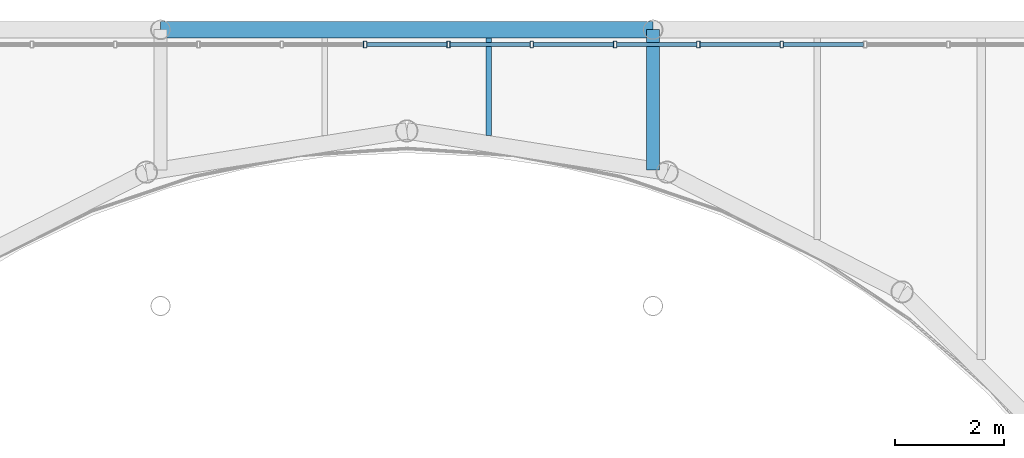
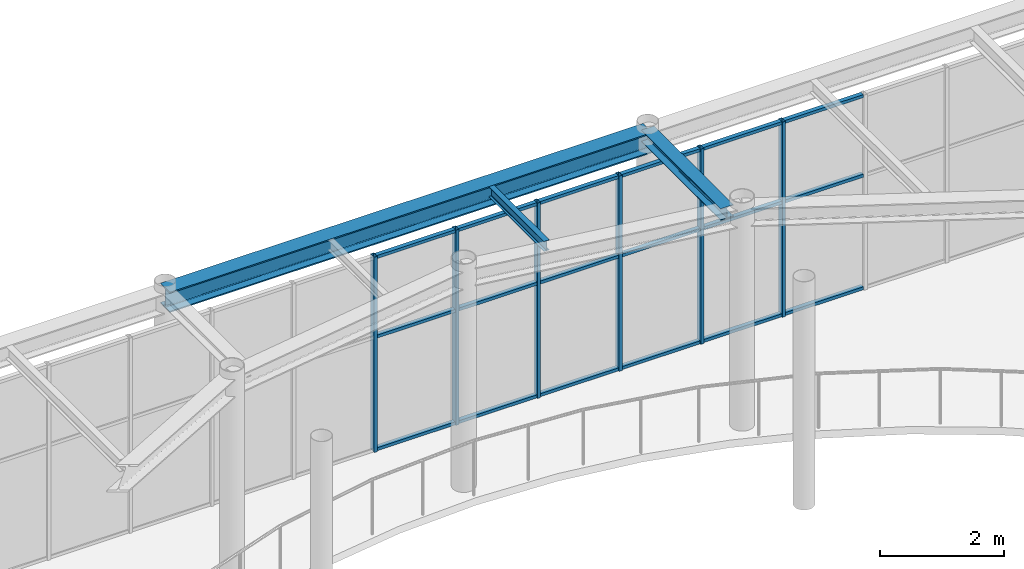
# One storey, part 48 of 111: 24 members, 3 beams, 1 element without a shape of its own.
"""IFC4 building model written with IfcOpenShell, lengths in metres."""

from ifc_helpers import new_model, si_unit, direction, frame, origin, origin_2d, place, context, subcontext, project, spatial, hollow_rectangle, i_section, extrude, material, layer, layer_set, material_profile, profile_set, type_object, element, aggregate, save


model = new_model("IFC4")

# Units and contexts
model_context = context("Model", 3, precision=1e-05, world=origin(), true_north=direction((0.0, 1.0)))
body_context = subcontext(model_context, "Body", "Model", "MODEL_VIEW")
ifc_project = project(units=[si_unit("LENGTHUNIT", "METRE"), si_unit("AREAUNIT", "SQUARE_METRE"), si_unit("VOLUMEUNIT", "CUBIC_METRE"), si_unit("PLANEANGLEUNIT", "RADIAN"), si_unit("MASSUNIT", "GRAM", prefix="KILO")], contexts=[model_context])

# Site, building, storey
site_placement = place(None, origin())
site = spatial("IfcSite", under=ifc_project, at=site_placement, CompositionType="ELEMENT")
building_placement = place(site_placement, origin())
building = spatial("IfcBuilding", under=site, at=building_placement, Name="Kallimachos Central Library", CompositionType="ELEMENT")
storey_placement = place(building_placement, frame((0.0, 0.0, 14.39990234375)))
storey = spatial("IfcBuildingStorey", under=building, at=storey_placement, Name="L03", CompositionType="ELEMENT", Elevation=14.39990234375)

# Curtain wall, members
ifc_material_1 = material(Name="Anodised aluminium and laminated glass", Category="aluminium")
ifc_layer = layer(ifc_material_1, 0.159912109375)
ifc_layer_set = layer_set([ifc_layer], Name="Glass box curtain wall")
curtain_wall_type = type_object("IfcCurtainWallType", Name="Glass box curtain wall", PredefinedType="NOTDEFINED", material=ifc_layer_set)
curtain_wall_placement = place(storey_placement, origin())
curtain_wall = element("IfcCurtainWall", 1, at=curtain_wall_placement, inside=storey, type_object=curtain_wall_type, Name="Glass box curtain wall N L03", PredefinedType="NOTDEFINED")
ifc_material_2 = material(Name="Anodised aluminium", Category="aluminium")
ifc_material_profile_1 = material_profile(ifc_material_2, hollow_rectangle(XDim=0.06005859375, YDim=0.1201171875, WallThickness=0.00390625, at=origin_2d()), Name="ALU MULLION 60x120")
ifc_profile_set_1 = profile_set([ifc_material_profile_1], Name="Anodised aluminium")
member_type_1 = type_object("IfcMemberType", Name="Glass box mullion 60x120", PredefinedType="MULLION", material=ifc_profile_set_1)
member_1_placement = place(storey_placement, frame((87.238525390625, 121.3798828125, 0.0), z_axis=(0.0, 0.0, 1.0), x_axis=(1.0, 0.0, 0.0)))
member_1 = element("IfcMember", 2, at=member_1_placement, type_object=member_type_1, Name="CW27 mullion 15", PredefinedType="MULLION", context=body_context, shape_type="SweptSolid", body=[
    extrude(hollow_rectangle(XDim=0.06005859375, YDim=0.1201171875, WallThickness=0.00390625, at=origin_2d()), origin(), (0.0, 0.0, 1.0), 3.85009765625),
])
member_2_placement = place(storey_placement, frame((88.761474609375, 121.3798828125, 0.0), z_axis=(0.0, 0.0, 1.0), x_axis=(1.0, 0.0, 0.0)))
member_2 = element("IfcMember", 3, at=member_2_placement, type_object=member_type_1, Name="CW27 mullion 16", PredefinedType="MULLION", context=body_context, shape_type="SweptSolid", body=[
    extrude(hollow_rectangle(XDim=0.06005859375, YDim=0.1201171875, WallThickness=0.00390625, at=origin_2d()), origin(), (0.0, 0.0, 1.0), 3.85009765625),
])
member_3_placement = place(storey_placement, frame((90.2841796875, 121.3798828125, 0.0), z_axis=(0.0, 0.0, 1.0), x_axis=(1.0, 0.0, 0.0)))
member_3 = element("IfcMember", 4, at=member_3_placement, type_object=member_type_1, Name="CW27 mullion 17", PredefinedType="MULLION", context=body_context, shape_type="SweptSolid", body=[
    extrude(hollow_rectangle(XDim=0.06005859375, YDim=0.1201171875, WallThickness=0.00390625, at=origin_2d()), origin(), (0.0, 0.0, 1.0), 3.85009765625),
])
member_4_placement = place(storey_placement, frame((91.806884765625, 121.3798828125, 0.0), z_axis=(0.0, 0.0, 1.0), x_axis=(1.0, 0.0, 0.0)))
member_4 = element("IfcMember", 5, at=member_4_placement, type_object=member_type_1, Name="CW27 mullion 18", PredefinedType="MULLION", context=body_context, shape_type="SweptSolid", body=[
    extrude(hollow_rectangle(XDim=0.06005859375, YDim=0.1201171875, WallThickness=0.00390625, at=origin_2d()), origin(), (0.0, 0.0, 1.0), 3.85009765625),
])
member_5_placement = place(storey_placement, frame((93.32958984375, 121.3798828125, 0.0), z_axis=(0.0, 0.0, 1.0), x_axis=(1.0, 0.0, 0.0)))
member_5 = element("IfcMember", 6, at=member_5_placement, type_object=member_type_1, Name="CW27 mullion 19", PredefinedType="MULLION", context=body_context, shape_type="SweptSolid", body=[
    extrude(hollow_rectangle(XDim=0.06005859375, YDim=0.1201171875, WallThickness=0.00390625, at=origin_2d()), origin(), (0.0, 0.0, 1.0), 3.85009765625),
])
member_6_placement = place(storey_placement, frame((94.852294921875, 121.3798828125, 0.0), z_axis=(0.0, 0.0, 1.0), x_axis=(1.0, 0.0, 0.0)))
member_6 = element("IfcMember", 7, at=member_6_placement, type_object=member_type_1, Name="CW27 mullion 20", PredefinedType="MULLION", context=body_context, shape_type="SweptSolid", body=[
    extrude(hollow_rectangle(XDim=0.06005859375, YDim=0.1201171875, WallThickness=0.00390625, at=origin_2d()), origin(), (0.0, 0.0, 1.0), 3.85009765625),
])
ifc_material_3 = material(Name="Anodised aluminium", Category="aluminium")
ifc_material_profile_2 = material_profile(ifc_material_3, hollow_rectangle(XDim=0.06005859375, YDim=0.080078125, WallThickness=0.00390625, at=origin_2d()), Name="ALU TRANSOM 60x80")
ifc_profile_set_2 = profile_set([ifc_material_profile_2], Name="Anodised aluminium")
member_type_2 = type_object("IfcMemberType", Name="Glass box transom 60x80", PredefinedType="USERDEFINED", material=ifc_profile_set_2)
member_7_placement = place(storey_placement, frame((87.2685546875, 121.3798828125, 0.030029296875), z_axis=(1.0, 0.0, 0.0), x_axis=(0.0, 0.0, 1.0)))
member_7 = element("IfcMember", 8, at=member_7_placement, type_object=member_type_2, Name="CW27 transom 15.1", ObjectType="TRANSOM", PredefinedType="USERDEFINED", context=body_context, shape_type="SweptSolid", body=[
    extrude(hollow_rectangle(XDim=0.06005859375, YDim=0.080078125, WallThickness=0.00390625, at=origin_2d()), origin(), (0.0, 0.0, 1.0), 1.462890625),
])
member_8_placement = place(storey_placement, frame((87.2685546875, 121.3798828125, 2.25), z_axis=(1.0, 0.0, 0.0), x_axis=(0.0, 0.0, 1.0)))
member_8 = element("IfcMember", 9, at=member_8_placement, type_object=member_type_2, Name="CW27 transom 15.2", ObjectType="TRANSOM", PredefinedType="USERDEFINED", context=body_context, shape_type="SweptSolid", body=[
    extrude(hollow_rectangle(XDim=0.06005859375, YDim=0.080078125, WallThickness=0.00390625, at=origin_2d()), origin(), (0.0, 0.0, 1.0), 1.462890625),
])
member_9_placement = place(storey_placement, frame((87.2685546875, 121.3798828125, 3.820068359375), z_axis=(1.0, 0.0, 0.0), x_axis=(0.0, 0.0, 1.0)))
member_9 = element("IfcMember", 10, at=member_9_placement, type_object=member_type_2, Name="CW27 transom 15.3", ObjectType="TRANSOM", PredefinedType="USERDEFINED", context=body_context, shape_type="SweptSolid", body=[
    extrude(hollow_rectangle(XDim=0.06005859375, YDim=0.080078125, WallThickness=0.00390625, at=origin_2d()), origin(), (0.0, 0.0, 1.0), 1.462890625),
])
member_10_placement = place(storey_placement, frame((88.791259765625, 121.3798828125, 0.030029296875), z_axis=(1.0, 0.0, 0.0), x_axis=(0.0, 0.0, 1.0)))
member_10 = element("IfcMember", 11, at=member_10_placement, type_object=member_type_2, Name="CW27 transom 16.1", ObjectType="TRANSOM", PredefinedType="USERDEFINED", context=body_context, shape_type="SweptSolid", body=[
    extrude(hollow_rectangle(XDim=0.06005859375, YDim=0.080078125, WallThickness=0.00390625, at=origin_2d()), origin(), (0.0, 0.0, 1.0), 1.462890625),
])
member_11_placement = place(storey_placement, frame((88.791259765625, 121.3798828125, 2.25), z_axis=(1.0, 0.0, 0.0), x_axis=(0.0, 0.0, 1.0)))
member_11 = element("IfcMember", 12, at=member_11_placement, type_object=member_type_2, Name="CW27 transom 16.2", ObjectType="TRANSOM", PredefinedType="USERDEFINED", context=body_context, shape_type="SweptSolid", body=[
    extrude(hollow_rectangle(XDim=0.06005859375, YDim=0.080078125, WallThickness=0.00390625, at=origin_2d()), origin(), (0.0, 0.0, 1.0), 1.462890625),
])
member_12_placement = place(storey_placement, frame((88.791259765625, 121.3798828125, 3.820068359375), z_axis=(1.0, 0.0, 0.0), x_axis=(0.0, 0.0, 1.0)))
member_12 = element("IfcMember", 13, at=member_12_placement, type_object=member_type_2, Name="CW27 transom 16.3", ObjectType="TRANSOM", PredefinedType="USERDEFINED", context=body_context, shape_type="SweptSolid", body=[
    extrude(hollow_rectangle(XDim=0.06005859375, YDim=0.080078125, WallThickness=0.00390625, at=origin_2d()), origin(), (0.0, 0.0, 1.0), 1.462890625),
])
member_13_placement = place(storey_placement, frame((90.314208984375, 121.3798828125, 0.030029296875), z_axis=(1.0, 0.0, 0.0), x_axis=(0.0, 0.0, 1.0)))
member_13 = element("IfcMember", 14, at=member_13_placement, type_object=member_type_2, Name="CW27 transom 17.1", ObjectType="TRANSOM", PredefinedType="USERDEFINED", context=body_context, shape_type="SweptSolid", body=[
    extrude(hollow_rectangle(XDim=0.06005859375, YDim=0.080078125, WallThickness=0.00390625, at=origin_2d()), origin(), (0.0, 0.0, 1.0), 1.462646484375),
])
member_14_placement = place(storey_placement, frame((90.314208984375, 121.3798828125, 2.25), z_axis=(1.0, 0.0, 0.0), x_axis=(0.0, 0.0, 1.0)))
member_14 = element("IfcMember", 15, at=member_14_placement, type_object=member_type_2, Name="CW27 transom 17.2", ObjectType="TRANSOM", PredefinedType="USERDEFINED", context=body_context, shape_type="SweptSolid", body=[
    extrude(hollow_rectangle(XDim=0.06005859375, YDim=0.080078125, WallThickness=0.00390625, at=origin_2d()), origin(), (0.0, 0.0, 1.0), 1.462646484375),
])
member_15_placement = place(storey_placement, frame((90.314208984375, 121.3798828125, 3.820068359375), z_axis=(1.0, 0.0, 0.0), x_axis=(0.0, 0.0, 1.0)))
member_15 = element("IfcMember", 16, at=member_15_placement, type_object=member_type_2, Name="CW27 transom 17.3", ObjectType="TRANSOM", PredefinedType="USERDEFINED", context=body_context, shape_type="SweptSolid", body=[
    extrude(hollow_rectangle(XDim=0.06005859375, YDim=0.080078125, WallThickness=0.00390625, at=origin_2d()), origin(), (0.0, 0.0, 1.0), 1.462646484375),
])
member_16_placement = place(storey_placement, frame((91.8369140625, 121.3798828125, 0.030029296875), z_axis=(1.0, 0.0, 0.0), x_axis=(0.0, 0.0, 1.0)))
member_16 = element("IfcMember", 17, at=member_16_placement, type_object=member_type_2, Name="CW27 transom 18.1", ObjectType="TRANSOM", PredefinedType="USERDEFINED", context=body_context, shape_type="SweptSolid", body=[
    extrude(hollow_rectangle(XDim=0.06005859375, YDim=0.080078125, WallThickness=0.00390625, at=origin_2d()), origin(), (0.0, 0.0, 1.0), 1.462646484375),
])
member_17_placement = place(storey_placement, frame((91.8369140625, 121.3798828125, 2.25), z_axis=(1.0, 0.0, 0.0), x_axis=(0.0, 0.0, 1.0)))
member_17 = element("IfcMember", 18, at=member_17_placement, type_object=member_type_2, Name="CW27 transom 18.2", ObjectType="TRANSOM", PredefinedType="USERDEFINED", context=body_context, shape_type="SweptSolid", body=[
    extrude(hollow_rectangle(XDim=0.06005859375, YDim=0.080078125, WallThickness=0.00390625, at=origin_2d()), origin(), (0.0, 0.0, 1.0), 1.462646484375),
])
member_18_placement = place(storey_placement, frame((91.8369140625, 121.3798828125, 3.820068359375), z_axis=(1.0, 0.0, 0.0), x_axis=(0.0, 0.0, 1.0)))
member_18 = element("IfcMember", 19, at=member_18_placement, type_object=member_type_2, Name="CW27 transom 18.3", ObjectType="TRANSOM", PredefinedType="USERDEFINED", context=body_context, shape_type="SweptSolid", body=[
    extrude(hollow_rectangle(XDim=0.06005859375, YDim=0.080078125, WallThickness=0.00390625, at=origin_2d()), origin(), (0.0, 0.0, 1.0), 1.462646484375),
])
member_19_placement = place(storey_placement, frame((93.359619140625, 121.3798828125, 0.030029296875), z_axis=(1.0, 0.0, 0.0), x_axis=(0.0, 0.0, 1.0)))
member_19 = element("IfcMember", 20, at=member_19_placement, type_object=member_type_2, Name="CW27 transom 19.1", ObjectType="TRANSOM", PredefinedType="USERDEFINED", context=body_context, shape_type="SweptSolid", body=[
    extrude(hollow_rectangle(XDim=0.06005859375, YDim=0.080078125, WallThickness=0.00390625, at=origin_2d()), origin(), (0.0, 0.0, 1.0), 1.462890625),
])
member_20_placement = place(storey_placement, frame((93.359619140625, 121.3798828125, 2.25), z_axis=(1.0, 0.0, 0.0), x_axis=(0.0, 0.0, 1.0)))
member_20 = element("IfcMember", 21, at=member_20_placement, type_object=member_type_2, Name="CW27 transom 19.2", ObjectType="TRANSOM", PredefinedType="USERDEFINED", context=body_context, shape_type="SweptSolid", body=[
    extrude(hollow_rectangle(XDim=0.06005859375, YDim=0.080078125, WallThickness=0.00390625, at=origin_2d()), origin(), (0.0, 0.0, 1.0), 1.462890625),
])
member_21_placement = place(storey_placement, frame((93.359619140625, 121.3798828125, 3.820068359375), z_axis=(1.0, 0.0, 0.0), x_axis=(0.0, 0.0, 1.0)))
member_21 = element("IfcMember", 22, at=member_21_placement, type_object=member_type_2, Name="CW27 transom 19.3", ObjectType="TRANSOM", PredefinedType="USERDEFINED", context=body_context, shape_type="SweptSolid", body=[
    extrude(hollow_rectangle(XDim=0.06005859375, YDim=0.080078125, WallThickness=0.00390625, at=origin_2d()), origin(), (0.0, 0.0, 1.0), 1.462890625),
])
member_22_placement = place(storey_placement, frame((94.88232421875, 121.3798828125, 0.030029296875), z_axis=(1.0, 0.0, 0.0), x_axis=(0.0, 0.0, 1.0)))
member_22 = element("IfcMember", 23, at=member_22_placement, type_object=member_type_2, Name="CW27 transom 20.1", ObjectType="TRANSOM", PredefinedType="USERDEFINED", context=body_context, shape_type="SweptSolid", body=[
    extrude(hollow_rectangle(XDim=0.06005859375, YDim=0.080078125, WallThickness=0.00390625, at=origin_2d()), origin(), (0.0, 0.0, 1.0), 1.462890625),
])
member_23_placement = place(storey_placement, frame((94.88232421875, 121.3798828125, 2.25), z_axis=(1.0, 0.0, 0.0), x_axis=(0.0, 0.0, 1.0)))
member_23 = element("IfcMember", 24, at=member_23_placement, type_object=member_type_2, Name="CW27 transom 20.2", ObjectType="TRANSOM", PredefinedType="USERDEFINED", context=body_context, shape_type="SweptSolid", body=[
    extrude(hollow_rectangle(XDim=0.06005859375, YDim=0.080078125, WallThickness=0.00390625, at=origin_2d()), origin(), (0.0, 0.0, 1.0), 1.462890625),
])
member_24_placement = place(storey_placement, frame((94.88232421875, 121.3798828125, 3.820068359375), z_axis=(1.0, 0.0, 0.0), x_axis=(0.0, 0.0, 1.0)))
member_24 = element("IfcMember", 25, at=member_24_placement, type_object=member_type_2, Name="CW27 transom 20.3", ObjectType="TRANSOM", PredefinedType="USERDEFINED", context=body_context, shape_type="SweptSolid", body=[
    extrude(hollow_rectangle(XDim=0.06005859375, YDim=0.080078125, WallThickness=0.00390625, at=origin_2d()), origin(), (0.0, 0.0, 1.0), 1.462890625),
])
aggregate(curtain_wall, [member_1, member_2, member_3, member_4, member_5, member_6, member_7, member_8, member_9, member_10, member_11, member_12, member_13, member_14, member_15, member_16, member_17, member_18, member_19, member_20, member_21, member_22, member_23, member_24])

# Beams
ifc_material_4 = material(Name="Steel S355J2", Category="steel")
ifc_material_profile_3 = material_profile(ifc_material_4, i_section(OverallWidth=0.239990234375, OverallDepth=0.22998046875, WebThickness=0.007568359375, FlangeThickness=0.011962890625, FilletRadius=0.02099609375, at=origin_2d()), Name="HEA 240")
ifc_profile_set_3 = profile_set([ifc_material_profile_3], Name="Steel S355J2")
beam_type_1 = type_object("IfcBeamType", Name="HEA 240 beam", PredefinedType="BEAM", material=ifc_profile_set_3)
beam_1_placement = place(storey_placement, frame((92.5, 119.08740234375, 4.235107421875), z_axis=(0.0, 1.0, 0.0), x_axis=(-1.0, 0.0, 0.0)))
element("IfcBeam", 26, at=beam_1_placement, inside=storey, type_object=beam_type_1, Name="V1-BEM-L03-031", PredefinedType="BEAM", context=body_context, shape_type="SweptSolid", body=[
    extrude(i_section(OverallWidth=0.239990234375, OverallDepth=0.22998046875, WebThickness=0.007568359375, FlangeThickness=0.011962890625, FilletRadius=0.02099609375, at=origin_2d()), origin(), (0.0, 0.0, 1.0), 2.5625),
])
ifc_material_5 = material(Name="Steel S355J2", Category="steel")
ifc_material_profile_4 = material_profile(ifc_material_5, i_section(OverallWidth=0.300048828125, OverallDepth=0.39990234375, WebThickness=0.013427734375, FlangeThickness=0.02392578125, FilletRadius=0.027099609375, at=origin_2d()), Name="HEB 400")
ifc_profile_set_4 = profile_set([ifc_material_profile_4], Name="Steel S355J2")
beam_type_2 = type_object("IfcBeamType", Name="HEB 400 beam", PredefinedType="BEAM", material=ifc_profile_set_4)
beam_2_placement = place(storey_placement, frame((83.5, 121.64990234375, 4.150146484375), z_axis=(1.0, 0.0, 0.0), x_axis=(0.0, 1.0, 0.0)))
element("IfcBeam", 27, at=beam_2_placement, inside=storey, type_object=beam_type_2, Name="V1-BEM-L03-046", PredefinedType="BEAM", context=body_context, shape_type="SweptSolid", body=[
    extrude(i_section(OverallWidth=0.300048828125, OverallDepth=0.39990234375, WebThickness=0.013427734375, FlangeThickness=0.02392578125, FilletRadius=0.027099609375, at=origin_2d()), origin(), (0.0, 0.0, 1.0), 9.0),
])
ifc_material_6 = material(Name="Steel S355J2", Category="steel")
ifc_material_profile_5 = material_profile(ifc_material_6, i_section(OverallWidth=0.10009765625, OverallDepth=0.199951171875, WebThickness=0.005615234375, FlangeThickness=0.008544921875, FilletRadius=0.011962890625, at=origin_2d()), Name="IPE 200")
ifc_profile_set_5 = profile_set([ifc_material_profile_5], Name="Steel S355J2")
beam_type_3 = type_object("IfcBeamType", Name="IPE 200 beam", PredefinedType="BEAM", material=ifc_profile_set_5)
beam_3_placement = place(storey_placement, frame((89.5, 119.71435546875, 4.25), z_axis=(0.0, 1.0, 0.0), x_axis=(-1.0, 0.0, 0.0)))
element("IfcBeam", 28, at=beam_3_placement, inside=storey, type_object=beam_type_3, Name="V1-BEM-L03-060", PredefinedType="BEAM", context=body_context, shape_type="SweptSolid", body=[
    extrude(i_section(OverallWidth=0.10009765625, OverallDepth=0.199951171875, WebThickness=0.005615234375, FlangeThickness=0.008544921875, FilletRadius=0.011962890625, at=origin_2d()), origin(), (0.0, 0.0, 1.0), 1.78564453125),
])

save(model, "model.ifc")
